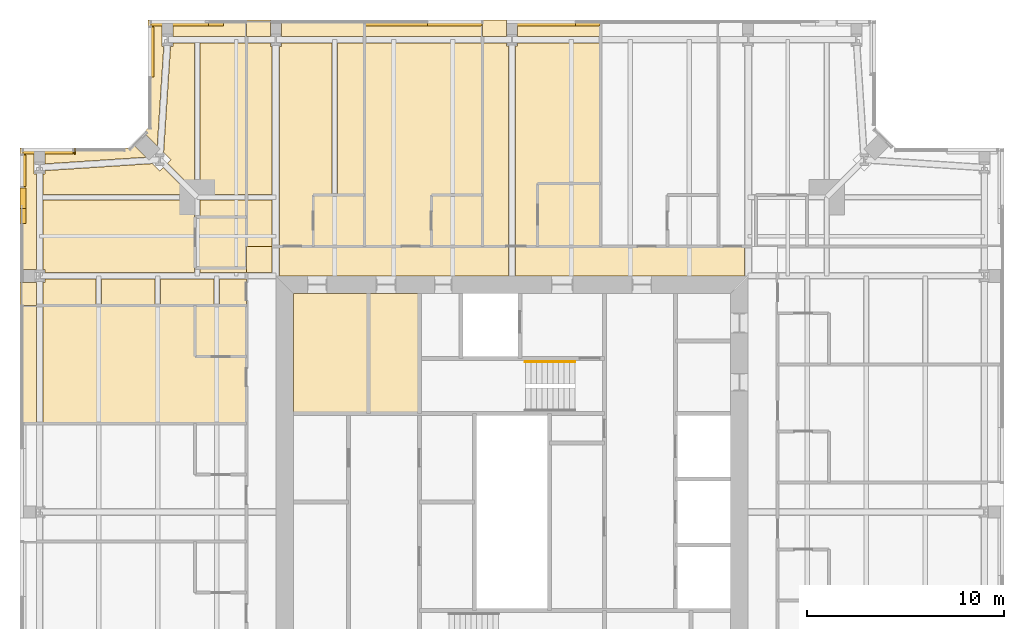
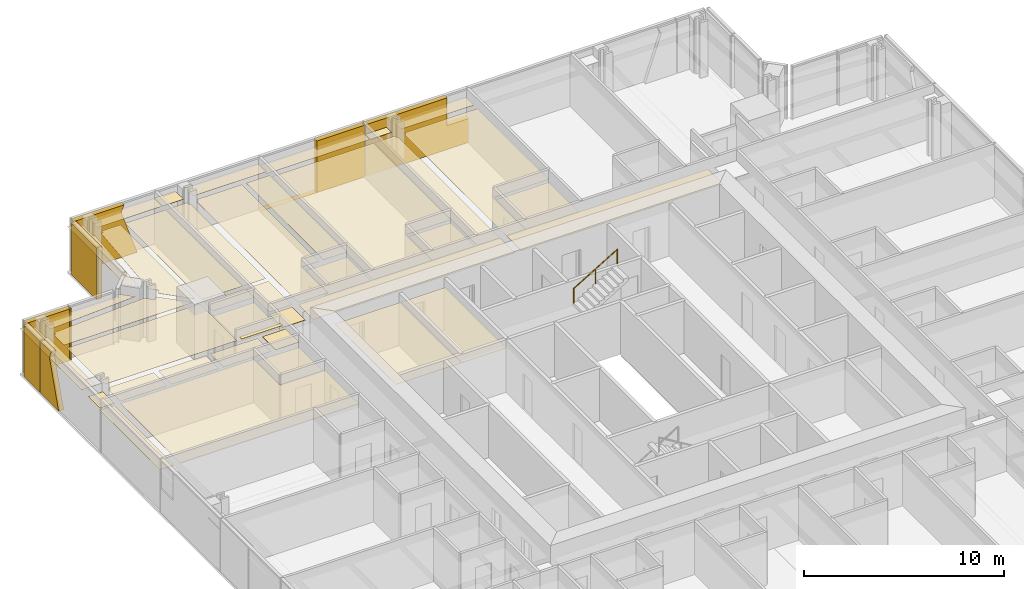
# One storey, part 19 of 20: 47 coverings, 1 railing.
"""IFC4 building model written with IfcOpenShell, lengths in metres."""

import ifcopenshell
import ifcopenshell.guid

model = None  # the IFC model being written
_history = None  # IfcOwnerHistory: only IFC2X3 demands one
_inside = {}  # id of a spatial element -> (the spatial element, [elements in it])
_under = {}  # id of a project, library or spatial element -> (it, [spatial elements below it])
_declared = {}  # id of a project -> (the project, [libraries it declares])
_typed = {}  # id of a type object -> (the type object, [elements of that type])
_made_of = {}  # id of a material, layer set ... -> (it, [elements and type objects made of it])


def new_model(schema):
    """Start an empty IFC model of exactly this schema.

    Asked for "IFC4X3", IfcOpenShell would pick the latest addendum, in which some entities
    have other attributes; the version numbers below select the first issue.
    IFC2X3 requires an IfcOwnerHistory on every rooted entity: one is made here for all.
    """
    global model, _history
    if schema == "IFC4X3":
        model = ifcopenshell.file(schema_version=(4, 3, 0, 0))
    else:
        model = ifcopenshell.file(schema=schema)
    _inside.clear()
    _under.clear()
    _declared.clear()
    _typed.clear()
    _made_of.clear()
    _history = None
    if model.schema == "IFC2X3":
        org = make("IfcOrganization", Name="unknown")
        user = make(
            "IfcPersonAndOrganization",
            ThePerson=make("IfcPerson", FamilyName="unknown"),
            TheOrganization=org,
        )
        app = make(
            "IfcApplication",
            ApplicationDeveloper=org,
            Version="unknown",
            ApplicationFullName="unknown",
            ApplicationIdentifier="unknown",
        )
        _history = make(
            "IfcOwnerHistory",
            OwningUser=user,
            OwningApplication=app,
            ChangeAction="ADDED",
            CreationDate=0,
        )
    return model


def make(cls, **values):
    """One entity of the class cls with the attributes given. An attribute that is None is left unset."""
    return model.create_entity(
        cls, **{name: value for name, value in values.items() if value is not None}
    )


def rooted(cls, **values):
    """An entity with a GlobalId (a new one), such as an element, a storey or a relation."""
    return make(cls, GlobalId=ifcopenshell.guid.new(), OwnerHistory=_history, **values)


def si_unit(unit_type, name, prefix=None):
    """IfcSIUnit, for example si_unit("LENGTHUNIT", "METRE", prefix="MILLI")."""
    return make("IfcSIUnit", UnitType=unit_type, Prefix=prefix, Name=name)


def assignment(units):
    """IfcUnitAssignment: the units of a project."""
    return None if units is None else make("IfcUnitAssignment", Units=units)


def point(xyz):
    """IfcCartesianPoint."""
    return None if xyz is None else make("IfcCartesianPoint", Coordinates=xyz)


def direction(xyz):
    """IfcDirection."""
    return None if xyz is None else make("IfcDirection", DirectionRatios=xyz)


def frame(location, z_axis=None, x_axis=None):
    """IfcAxis2Placement3D, a coordinate frame: its origin and axes. An axis left out is left unset."""
    return make(
        "IfcAxis2Placement3D",
        Location=point(location),
        Axis=direction(z_axis),
        RefDirection=direction(x_axis),
    )


def frame_2d(location, x_axis=None):
    """IfcAxis2Placement2D, a coordinate frame in the plane: its origin and x axis."""
    return make(
        "IfcAxis2Placement2D", Location=point(location), RefDirection=direction(x_axis)
    )


def origin():
    """The frame at (0, 0, 0) with its axes left unset."""
    return frame((0.0, 0.0, 0.0))


def origin_2d():
    """The frame at (0, 0) in the plane with its x axis left unset."""
    return frame_2d((0.0, 0.0))


def place(relative_to, where):
    """IfcLocalPlacement: puts the frame where relative to a parent placement (None: the world)."""
    return make(
        "IfcLocalPlacement", PlacementRelTo=relative_to, RelativePlacement=where
    )


def context(
    kind, dimensions, precision=None, world=None, true_north=None, identifier=None
):
    """IfcGeometricRepresentationContext, for example the 3D "Model" context."""
    return make(
        "IfcGeometricRepresentationContext",
        ContextIdentifier=identifier,
        ContextType=kind,
        CoordinateSpaceDimension=dimensions,
        Precision=precision,
        WorldCoordinateSystem=world,
        TrueNorth=true_north,
    )


def subcontext(parent, identifier, kind, view, scale=None):
    """IfcGeometricRepresentationSubContext, for example "Body" below "Model"."""
    return make(
        "IfcGeometricRepresentationSubContext",
        ContextIdentifier=identifier,
        ContextType=kind,
        ParentContext=parent,
        TargetScale=scale,
        TargetView=view,
    )


def project(units=None, contexts=None):
    """IfcProject with its units and contexts."""
    return rooted(
        "IfcProject",
        Name="project",
        RepresentationContexts=contexts,
        UnitsInContext=assignment(units),
    )


def spatial(cls, under=None, at=None, **own):
    """A site, building, storey or space (cls), placed at a placement, below another one or the project."""
    s = rooted(cls, ObjectPlacement=at, **own)
    if under is not None:
        _under.setdefault(under.id(), (under, []))[1].append(s)
    return s


def polyline(points):
    """IfcPolyline through the points."""
    return make("IfcPolyline", Points=[point(p) for p in points])


def profile(cls, at=None, kind="AREA", **sizes):
    """A parametric profile (cls). Its sizes go by their IFC names, for example OverallWidth=200.0."""
    return make(cls, ProfileType=kind, Position=at, **sizes)


def circle(**sizes):
    """IfcCircleProfileDef."""
    return profile("IfcCircleProfileDef", **sizes)


def outline(outer, holes=None, kind="AREA"):
    """IfcArbitraryClosedProfileDef: a profile drawn as a closed curve; with holes, ...WithVoids."""
    if holes is None:
        return make("IfcArbitraryClosedProfileDef", ProfileType=kind, OuterCurve=outer)
    return make(
        "IfcArbitraryProfileDefWithVoids",
        ProfileType=kind,
        OuterCurve=outer,
        InnerCurves=holes,
    )


def extrude(swept, where, along, depth):
    """IfcExtrudedAreaSolid: the profile swept, set in the frame where, extruded along a direction by depth."""
    return make(
        "IfcExtrudedAreaSolid",
        SweptArea=swept,
        Position=where,
        ExtrudedDirection=direction(along),
        Depth=depth,
    )


def shape(context_of_items, identifier, shape_type, items):
    """IfcShapeRepresentation: the items that make up one representation, for example the "Body"."""
    return make(
        "IfcShapeRepresentation",
        ContextOfItems=context_of_items,
        RepresentationIdentifier=identifier,
        RepresentationType=shape_type,
        Items=items,
    )


def material(Name=None, Category=None):
    """IfcMaterial."""
    return make("IfcMaterial", Name=Name, Category=Category)


def layer(
    of_material, thickness, ventilated=None, Name=None, Category=None, Priority=None
):
    """IfcMaterialLayer: one layer of a wall or slab, of a material (None: an air gap)."""
    return make(
        "IfcMaterialLayer",
        Material=of_material,
        LayerThickness=thickness,
        IsVentilated=ventilated,
        Name=Name,
        Category=Category,
        Priority=Priority,
    )


def layer_set(layers, Name=None):
    """IfcMaterialLayerSet."""
    return make("IfcMaterialLayerSet", MaterialLayers=layers, LayerSetName=Name)


def made_of(thing, what):
    """Note that an element or type object is made of a material, layer set ...; save() writes the relation."""
    if what is not None:
        _made_of.setdefault(what.id(), (what, []))[1].append(thing)
    return thing


def type_object(cls, material=None, **own):
    """A type object (cls), such as IfcWallType, which elements share."""
    return made_of(rooted(cls, **own), material)


def element(
    cls,
    number,
    at=None,
    inside=None,
    cuts=None,
    type_object=None,
    material=None,
    context=None,
    identifier="Body",
    shape_type=None,
    held_by="IfcProductDefinitionShape",
    body=None,
    shapes=None,
    **own,
):
    """One element of the class cls, such as IfcWall. Its Tag is "e" and its number.

    at: its placement. inside: the storey or other place that contains it. cuts: it is an
    opening in that element (IfcRelVoidsElement). A single representation is given by context,
    identifier, shape_type and body (its items); several are given by shapes. held_by: the class
    of the entity that holds the representations. save() writes the other relations.
    """
    e = rooted(cls, Tag="e%d" % number, ObjectPlacement=at, **own)
    if body is not None:
        shapes = [shape(context, identifier, shape_type, body)]
    if shapes is not None:
        e.Representation = make(held_by, Representations=shapes)
    if inside is not None:
        _inside.setdefault(inside.id(), (inside, []))[1].append(e)
    if cuts is not None:
        rooted(
            "IfcRelVoidsElement", RelatingBuildingElement=cuts, RelatedOpeningElement=e
        )
    if type_object is not None:
        _typed.setdefault(type_object.id(), (type_object, []))[1].append(e)
    return made_of(e, material)


def aggregate(whole, parts):
    """IfcRelAggregates: a whole, such as a stair, and the parts it consists of."""
    return rooted("IfcRelAggregates", RelatingObject=whole, RelatedObjects=parts)


def save(model, path):
    """Write the relations noted so far, then the file.

    IfcRelAggregates (storeys below a building ...), IfcRelContainedInSpatialStructure (elements
    in a storey), IfcRelDefinesByType, IfcRelAssociatesMaterial and IfcRelDeclares: one each for
    every whole, place, type object, material and project.
    """
    for whole, parts in _under.values():
        aggregate(whole, parts)
    for where, things in _inside.values():
        rooted(
            "IfcRelContainedInSpatialStructure",
            RelatedElements=things,
            RelatingStructure=where,
        )
    for kind, things in _typed.values():
        rooted("IfcRelDefinesByType", RelatedObjects=things, RelatingType=kind)
    for what, things in _made_of.values():
        rooted("IfcRelAssociatesMaterial", RelatedObjects=things, RelatingMaterial=what)
    for by, libraries in _declared.values():
        rooted("IfcRelDeclares", RelatingContext=by, RelatedDefinitions=libraries)
    model.write(path)


model = new_model("IFC4")

# Units and contexts
model_context = context("Model", 3, precision=1e-05, world=origin(), true_north=direction((0.0, 1.0)))
body_context = subcontext(model_context, "Body", "Model", "MODEL_VIEW")
ifc_project = project(units=[si_unit("LENGTHUNIT", "METRE"), si_unit("AREAUNIT", "SQUARE_METRE"), si_unit("VOLUMEUNIT", "CUBIC_METRE"), si_unit("PLANEANGLEUNIT", "RADIAN"), si_unit("MASSUNIT", "GRAM", prefix="KILO")], contexts=[model_context])

# Site, building, storey
site_placement = place(None, origin())
site = spatial("IfcSite", under=ifc_project, at=site_placement, CompositionType="ELEMENT")
building_placement = place(site_placement, origin())
building = spatial("IfcBuilding", under=site, at=building_placement, Name="Fenwick Lantern Interchange", CompositionType="ELEMENT")
storey_placement = place(building_placement, frame((0.0, 0.0, 252.60009765625)))
storey = spatial("IfcBuildingStorey", under=building, at=storey_placement, Name="L59", CompositionType="ELEMENT", Elevation=252.60009765625)

# Coverings
ifc_material_1 = material(Name="Granite cladding, warm grey flamed finish, on aluminium carrier frame", Category="masonry")
ifc_layer_1 = layer(ifc_material_1, 0.300048828125)
ifc_layer_set_1 = layer_set([ifc_layer_1], Name="BRACE CASING PANEL 300")
covering_type_1 = type_object("IfcCoveringType", Name="BRACE CASING PANEL 300", PredefinedType="CLADDING", material=ifc_layer_set_1)
covering_1_placement = place(storey_placement, frame((43.39990234375, 49.89990234375, 0.0), z_axis=(0.0, 0.0, 1.0), x_axis=(-1.0, 0.0, 0.0)))
element("IfcCovering", 1, at=covering_1_placement, inside=storey, type_object=covering_type_1, Name="Brace casing 09 bay 03a", PredefinedType="CLADDING", context=body_context, shape_type="SweptSolid", body=[
    extrude(outline(polyline([(13.929931640625, 0.0), (19.8701171875, 0.0), (19.8701171875, 3.14990234375), (15.179931640625, 3.14990234375), (15.179931640625, 1.45751953125), (13.929931640625, 1.45751953125), (13.929931640625, 0.0)])), frame((0.0, 0.2099609375, 0.0), z_axis=(0.0, -1.0, 0.0), x_axis=(1.0, 0.0, 0.0)), (0.0, 0.0, 1.0), 0.300048828125),
])
covering_2_placement = place(storey_placement, frame((43.39990234375, 49.89990234375, 0.0), z_axis=(0.0, 0.0, 1.0), x_axis=(-1.0, 0.0, 0.0)))
element("IfcCovering", 2, at=covering_2_placement, inside=storey, type_object=covering_type_1, Name="Brace casing 09 bay 04a", PredefinedType="CLADDING", context=body_context, shape_type="SweptSolid", body=[
    extrude(outline(polyline([(19.929931640625, 0.0), (25.8701171875, 0.0), (25.8701171875, 0.004150390625), (22.690673828125, 0.004150390625), (22.690673828125, 3.14990234375), (19.929931640625, 3.14990234375), (19.929931640625, 0.0)])), frame((0.0, 0.2099609375, 0.0), z_axis=(0.0, -1.0, 0.0), x_axis=(1.0, 0.0, 0.0)), (0.0, 0.0, 1.0), 0.300048828125),
])
covering_3_placement = place(storey_placement, frame((43.39990234375, 49.89990234375, 0.0), z_axis=(0.0, 0.0, 1.0), x_axis=(-1.0, 0.0, 0.0)))
element("IfcCovering", 3, at=covering_3_placement, inside=storey, type_object=covering_type_1, Name="Brace casing 09 bay 06a", PredefinedType="CLADDING", context=body_context, shape_type="SweptSolid", body=[
    extrude(outline(polyline([(33.056884765625, 0.0), (36.739990234375, 0.0), (36.739990234375, 3.14990234375), (33.814453125, 3.14990234375), (33.981201171875, 2.737548828125), (33.056884765625, 0.0)])), frame((0.0, 0.2099609375, 0.0), z_axis=(0.0, -1.0, 0.0), x_axis=(1.0, 0.0, 0.0)), (0.0, 0.0, 1.0), 0.300048828125),
])
covering_4_placement = place(storey_placement, frame((6.60009765625, 49.89990234375, 0.0), z_axis=(0.0, 0.0, 1.0), x_axis=(0.0, -1.0, 0.0)))
element("IfcCovering", 4, at=covering_4_placement, inside=storey, type_object=covering_type_1, Name="Brace casing 10 bay 00a", PredefinedType="CLADDING", context=body_context, shape_type="SweptSolid", body=[
    extrude(outline(polyline([(0.260009765625, 0.0), (2.790771484375, 0.0), (2.790771484375, 3.14990234375), (0.260009765625, 3.14990234375), (0.260009765625, 0.0)])), frame((0.0, 0.2099609375, 0.0), z_axis=(0.0, -1.0, 0.0), x_axis=(1.0, 0.0, 0.0)), (0.0, 0.0, 1.0), 0.300048828125),
])
covering_5_placement = place(storey_placement, frame((5.54150390625, 43.39990234375, 0.0), z_axis=(0.0, 0.0, 1.0), x_axis=(-1.0, 0.0, 0.0)))
element("IfcCovering", 5, at=covering_5_placement, inside=storey, type_object=covering_type_1, Name="Brace casing 12 bay 00a", PredefinedType="CLADDING", context=body_context, shape_type="SweptSolid", body=[
    extrude(outline(polyline([(2.741455078125, 0.0), (2.790771484375, 0.0), (2.790771484375, 3.14990234375), (2.741455078125, 3.14990234375), (2.741455078125, 0.0)])), frame((0.0, 0.2099609375, 0.0), z_axis=(0.0, -1.0, 0.0), x_axis=(1.0, 0.0, 0.0)), (0.0, 0.0, 1.0), 0.300048828125),
])
covering_6_placement = place(storey_placement, frame((5.54150390625, 43.39990234375, 0.0), z_axis=(0.0, 0.0, 1.0), x_axis=(-1.0, 0.0, 0.0)))
element("IfcCovering", 6, at=covering_6_placement, inside=storey, type_object=covering_type_1, Name="Brace casing 12 bay 01a", PredefinedType="CLADDING", context=body_context, shape_type="SweptSolid", body=[
    extrude(outline(polyline([(2.850830078125, 0.0), (5.38134765625, 0.0), (5.38134765625, 3.14990234375), (2.850830078125, 3.14990234375), (2.850830078125, 0.0)])), frame((0.0, 0.2099609375, 0.0), z_axis=(0.0, -1.0, 0.0), x_axis=(1.0, 0.0, 0.0)), (0.0, 0.0, 1.0), 0.300048828125),
])
covering_7_placement = place(storey_placement, frame((0.10009765625, 43.39990234375, 0.0), z_axis=(0.0, 0.0, 1.0), x_axis=(0.0, -1.0, 0.0)))
element("IfcCovering", 7, at=covering_7_placement, inside=storey, type_object=covering_type_1, Name="Brace casing 13 bay 00a", PredefinedType="CLADDING", context=body_context, shape_type="SweptSolid", body=[
    extrude(outline(polyline([(0.260009765625, 0.0), (1.8701171875, 0.0), (1.8701171875, 3.14990234375), (0.260009765625, 3.14990234375), (0.260009765625, 0.0)])), frame((0.0, 0.2099609375, 0.0), z_axis=(0.0, -1.0, 0.0), x_axis=(1.0, 0.0, 0.0)), (0.0, 0.0, 1.0), 0.300048828125),
])
covering_8_placement = place(storey_placement, frame((0.10009765625, 43.39990234375, 0.0), z_axis=(0.0, 0.0, 1.0), x_axis=(0.0, -1.0, 0.0)))
element("IfcCovering", 8, at=covering_8_placement, inside=storey, type_object=covering_type_1, Name="Brace casing 13 bay 01a", PredefinedType="CLADDING", context=body_context, shape_type="SweptSolid", body=[
    extrude(outline(polyline([(1.929931640625, 0.0), (3.7431640625, 0.0), (2.81884765625, 2.737548828125), (2.985595703125, 3.14990234375), (1.929931640625, 3.14990234375), (1.929931640625, 0.0)])), frame((0.0, 0.2099609375, 0.0), z_axis=(0.0, -1.0, 0.0), x_axis=(1.0, 0.0, 0.0)), (0.0, 0.0, 1.0), 0.300048828125),
])

# Railing
ifc_material_2 = material(Name="Stainless steel handrail", Category="steel")
railing_type = type_object("IfcRailingType", Name="HANDRAIL 900", PredefinedType="HANDRAIL", material=ifc_material_2)
railing_placement = place(storey_placement, frame((25.679931640625, 32.6259765625, 1.869873046875)))
element("IfcRailing", 9, at=railing_placement, inside=storey, type_object=railing_type, Name="L59/STAIR/ST2/HR2", PredefinedType="HANDRAIL", context=body_context, shape_type="SweptSolid", body=[
    extrude(circle(Radius=0.02392578125, at=origin_2d()), frame((0.0, 0.0, 0.8759765625), z_axis=(0.85478489116, 0.0, 0.518982456201), x_axis=(0.0, 1.0, 0.0)), (0.0, 0.0, 1.0), 2.9482421875),
    extrude(circle(Radius=0.02099609375, at=origin_2d()), origin(), (0.0, 0.0, 1.0), 0.851806640625),
    extrude(circle(Radius=0.02099609375, at=origin_2d()), frame((1.260009765625, 0.0, 0.76513671875)), (0.0, 0.0, 1.0), 0.851806640625),
    extrude(circle(Radius=0.02099609375, at=origin_2d()), frame((2.52001953125, 0.0, 1.530029296875)), (0.0, 0.0, 1.0), 0.851806640625),
])

# Coverings
ifc_material_3 = material(Name="Moisture resistant gypsum board on suspended frame, painted")
ifc_layer_2 = layer(ifc_material_3, 0.014892578125)
ifc_layer_set_2 = layer_set([ifc_layer_2], Name="MOISTURE RESISTANT CEILING 15")
covering_type_2 = type_object("IfcCoveringType", Name="MOISTURE RESISTANT CEILING 15", PredefinedType="CEILING", material=ifc_layer_set_2)
covering_9_placement = place(storey_placement, frame((0.0, 0.0, 2.599853515625)))
element("IfcCovering", 10, at=covering_9_placement, inside=storey, type_object=covering_type_2, Name="Men's WC ceiling", PredefinedType="CEILING", context=body_context, shape_type="SweptSolid", body=[
    extrude(outline(polyline([(20.300048828125, 36.10009765625), (17.699951171875, 36.10009765625), (17.699951171875, 30.0), (20.300048828125, 30.0), (20.300048828125, 36.10009765625)])), origin(), (0.0, 0.0, 1.0), 0.01513671875),
])
covering_10_placement = place(storey_placement, frame((0.0, 0.0, 2.599853515625)))
element("IfcCovering", 11, at=covering_10_placement, inside=storey, type_object=covering_type_2, Name="Women's WC ceiling", PredefinedType="CEILING", context=body_context, shape_type="SweptSolid", body=[
    extrude(outline(polyline([(17.699951171875, 36.10009765625), (13.89990234375, 36.10009765625), (13.89990234375, 30.0), (17.699951171875, 30.0), (17.699951171875, 36.10009765625)])), origin(), (0.0, 0.0, 1.0), 0.01513671875),
])
covering_11_placement = place(storey_placement, frame((0.0, 0.0, 2.39990234375)))
element("IfcCovering", 12, at=covering_11_placement, inside=storey, type_object=covering_type_2, Name="En-suite 5913 ceiling", PredefinedType="CEILING", context=body_context, shape_type="SweptSolid", body=[
    extrude(outline(polyline([(29.5, 41.699951171875), (26.300048828125, 41.699951171875), (26.300048828125, 38.5), (29.5, 38.5), (29.5, 41.699951171875)])), origin(), (0.0, 0.0, 1.0), 0.014892578125),
])
covering_12_placement = place(storey_placement, frame((0.0, 0.0, 2.39990234375)))
element("IfcCovering", 13, at=covering_12_placement, inside=storey, type_object=covering_type_2, Name="En-suite 5914 ceiling", PredefinedType="CEILING", context=body_context, shape_type="SweptSolid", body=[
    extrude(outline(polyline([(23.5, 41.10009765625), (20.89990234375, 41.10009765625), (20.89990234375, 38.5), (23.5, 38.5), (23.5, 41.10009765625)])), origin(), (0.0, 0.0, 1.0), 0.014892578125),
])
covering_13_placement = place(storey_placement, frame((0.0, 0.0, 2.39990234375)))
element("IfcCovering", 14, at=covering_13_placement, inside=storey, type_object=covering_type_2, Name="En-suite 5915 ceiling", PredefinedType="CEILING", context=body_context, shape_type="SweptSolid", body=[
    extrude(outline(polyline([(17.5, 41.10009765625), (14.89990234375, 41.10009765625), (14.89990234375, 38.5), (17.5, 38.5), (17.5, 41.10009765625)])), origin(), (0.0, 0.0, 1.0), 0.014892578125),
])
covering_14_placement = place(storey_placement, frame((0.0, 0.0, 2.39990234375)))
element("IfcCovering", 15, at=covering_14_placement, inside=storey, type_object=covering_type_2, Name="En-suite 5916 ceiling", PredefinedType="CEILING", context=body_context, shape_type="SweptSolid", body=[
    extrude(outline(polyline([(8.89990234375, 40.0), (8.89990234375, 37.39990234375), (11.5, 37.39990234375), (11.5, 40.0), (8.89990234375, 40.0)])), origin(), (0.0, 0.0, 1.0), 0.014892578125),
])
covering_15_placement = place(storey_placement, frame((0.0, 0.0, 2.39990234375)))
element("IfcCovering", 16, at=covering_15_placement, inside=storey, type_object=covering_type_2, Name="En-suite 5917 ceiling", PredefinedType="CEILING", context=body_context, shape_type="SweptSolid", body=[
    extrude(outline(polyline([(8.89990234375, 35.5), (8.89990234375, 32.89990234375), (11.5, 32.89990234375), (11.5, 35.5), (8.89990234375, 35.5)])), origin(), (0.0, 0.0, 1.0), 0.014892578125),
])
ifc_material_4 = material(Name="Gypsum plasterboard on suspended frame, painted")
ifc_layer_3 = layer(ifc_material_4, 0.014892578125)
ifc_layer_set_3 = layer_set([ifc_layer_3], Name="PLASTERBOARD CEILING 15")
covering_type_3 = type_object("IfcCoveringType", Name="PLASTERBOARD CEILING 15", PredefinedType="CEILING", material=ifc_layer_set_3)
covering_16_placement = place(storey_placement, frame((0.0, 0.0, 2.57275390625)))
element("IfcCovering", 17, at=covering_16_placement, inside=storey, type_object=covering_type_3, Name="Corridor ceiling", PredefinedType="CEILING", context=body_context, shape_type="SweptSolid", body=[
    extrude(outline(polyline([(24.816162109375, 38.5), (13.183837890625, 38.5), (13.183837890625, 37.0), (24.816162109375, 37.0), (24.816162109375, 38.5)])), origin(), (0.0, 0.0, 1.0), 0.014892578125),
])
covering_17_placement = place(storey_placement, frame((0.0, 0.0, 2.57275390625)))
element("IfcCovering", 18, at=covering_17_placement, inside=storey, type_object=covering_type_3, Name="Corridor ceiling", PredefinedType="CEILING", context=body_context, shape_type="SweptSolid", body=[
    extrude(outline(polyline([(36.816162109375, 38.5), (25.183837890625, 38.5), (25.183837890625, 37.0), (36.816162109375, 37.0), (36.816162109375, 38.5)])), origin(), (0.0, 0.0, 1.0), 0.014892578125),
])
covering_18_placement = place(storey_placement, frame((0.0, 0.0, 2.57275390625)))
element("IfcCovering", 19, at=covering_18_placement, inside=storey, type_object=covering_type_3, Name="Corridor ceiling", PredefinedType="CEILING", context=body_context, shape_type="SweptSolid", body=[
    extrude(outline(polyline([(12.816162109375, 38.5), (11.5, 38.5), (11.5, 37.166015625), (12.816162109375, 37.166015625), (12.816162109375, 38.5)])), origin(), (0.0, 0.0, 1.0), 0.014892578125),
])
covering_19_placement = place(storey_placement, frame((0.0, 0.0, 2.57275390625)))
element("IfcCovering", 20, at=covering_19_placement, inside=storey, type_object=covering_type_3, Name="Guest room 5913 ceiling", PredefinedType="CEILING", context=body_context, shape_type="SweptSolid", body=[
    extrude(outline(polyline([(25.27099609375, 48.6845703125), (25.183837890625, 48.6845703125), (25.183837890625, 38.5), (26.300048828125, 38.5), (26.300048828125, 41.699951171875), (29.5, 41.699951171875), (29.5, 48.82763671875), (25.27099609375, 48.82763671875), (25.27099609375, 48.6845703125)])), origin(), (0.0, 0.0, 1.0), 0.014892578125),
])
covering_20_placement = place(storey_placement, frame((0.0, 0.0, 2.57275390625)))
element("IfcCovering", 21, at=covering_20_placement, inside=storey, type_object=covering_type_3, Name="Guest room 5913 ceiling", PredefinedType="CEILING", context=body_context, shape_type="SweptSolid", body=[
    extrude(outline(polyline([(24.72900390625, 48.6845703125), (24.72900390625, 48.82763671875), (23.5, 48.82763671875), (23.5, 38.5), (24.816162109375, 38.5), (24.816162109375, 48.6845703125), (24.72900390625, 48.6845703125)])), origin(), (0.0, 0.0, 1.0), 0.014892578125),
])
covering_21_placement = place(storey_placement, frame((0.0, 0.0, 2.57275390625)))
element("IfcCovering", 22, at=covering_21_placement, inside=storey, type_object=covering_type_3, Name="Guest room 5913 ceiling", PredefinedType="CEILING", context=body_context, shape_type="SweptSolid", body=[
    extrude(outline(polyline([(25.27099609375, 50.0), (25.27099609375, 49.17236328125), (29.5, 49.17236328125), (29.5, 50.0), (25.27099609375, 50.0)])), origin(), (0.0, 0.0, 1.0), 0.014892578125),
])
covering_22_placement = place(storey_placement, frame((0.0, 0.0, 2.57275390625)))
element("IfcCovering", 23, at=covering_22_placement, inside=storey, type_object=covering_type_3, Name="Guest room 5913 ceiling", PredefinedType="CEILING", context=body_context, shape_type="SweptSolid", body=[
    extrude(outline(polyline([(24.72900390625, 50.0), (23.5, 50.0), (23.5, 49.17236328125), (24.72900390625, 49.17236328125), (24.72900390625, 50.0)])), origin(), (0.0, 0.0, 1.0), 0.014892578125),
])
covering_23_placement = place(storey_placement, frame((0.0, 0.0, 2.57275390625)))
element("IfcCovering", 24, at=covering_23_placement, inside=storey, type_object=covering_type_3, Name="Guest room 5914 ceiling", PredefinedType="CEILING", context=body_context, shape_type="SweptSolid", body=[
    extrude(outline(polyline([(17.5, 48.82763671875), (17.5, 38.5), (20.89990234375, 38.5), (20.89990234375, 41.10009765625), (23.5, 41.10009765625), (23.5, 48.82763671875), (17.5, 48.82763671875)])), origin(), (0.0, 0.0, 1.0), 0.014892578125),
])
covering_24_placement = place(storey_placement, frame((0.0, 0.0, 2.57275390625)))
element("IfcCovering", 25, at=covering_24_placement, inside=storey, type_object=covering_type_3, Name="Guest room 5914 ceiling", PredefinedType="CEILING", context=body_context, shape_type="SweptSolid", body=[
    extrude(outline(polyline([(17.5, 50.0), (17.5, 49.17236328125), (23.5, 49.17236328125), (23.5, 50.0), (17.5, 50.0)])), origin(), (0.0, 0.0, 1.0), 0.014892578125),
])
covering_25_placement = place(storey_placement, frame((0.0, 0.0, 2.699951171875)))
element("IfcCovering", 26, at=covering_25_placement, inside=storey, type_object=covering_type_3, Name="Guest room 5915 ceiling", PredefinedType="CEILING", context=body_context, shape_type="SweptSolid", body=[
    extrude(outline(polyline([(13.27734375, 48.66552734375), (13.183837890625, 48.66552734375), (13.183837890625, 38.5), (14.89990234375, 38.5), (14.89990234375, 41.10009765625), (15.865478515625, 41.10009765625), (15.865478515625, 48.82763671875), (13.27734375, 48.82763671875), (13.27734375, 48.66552734375)])), origin(), (0.0, 0.0, 1.0), 0.014892578125),
])
covering_26_placement = place(storey_placement, frame((0.0, 0.0, 2.699951171875)))
element("IfcCovering", 27, at=covering_26_placement, inside=storey, type_object=covering_type_3, Name="Guest room 5915 ceiling", PredefinedType="CEILING", context=body_context, shape_type="SweptSolid", body=[
    extrude(outline(polyline([(17.5, 41.10009765625), (17.5, 48.82763671875), (16.134521484375, 48.82763671875), (16.134521484375, 41.10009765625), (17.5, 41.10009765625)])), origin(), (0.0, 0.0, 1.0), 0.014892578125),
])
covering_27_placement = place(storey_placement, frame((0.0, 0.0, 2.699951171875)))
element("IfcCovering", 28, at=covering_27_placement, inside=storey, type_object=covering_type_3, Name="Guest room 5915 ceiling", PredefinedType="CEILING", context=body_context, shape_type="SweptSolid", body=[
    extrude(outline(polyline([(12.72265625, 48.66552734375), (12.72265625, 48.82763671875), (11.5, 48.82763671875), (11.5, 41.134521484375), (12.816162109375, 41.134521484375), (12.816162109375, 48.66552734375), (12.72265625, 48.66552734375)])), origin(), (0.0, 0.0, 1.0), 0.014892578125),
])
covering_28_placement = place(storey_placement, frame((0.0, 0.0, 2.699951171875)))
element("IfcCovering", 29, at=covering_28_placement, inside=storey, type_object=covering_type_3, Name="Guest room 5915 ceiling", PredefinedType="CEILING", context=body_context, shape_type="SweptSolid", body=[
    extrude(outline(polyline([(13.27734375, 50.0), (13.27734375, 49.17236328125), (17.5, 49.17236328125), (17.5, 50.0), (13.27734375, 50.0)])), origin(), (0.0, 0.0, 1.0), 0.014892578125),
])
covering_29_placement = place(storey_placement, frame((0.0, 0.0, 2.699951171875)))
element("IfcCovering", 30, at=covering_29_placement, inside=storey, type_object=covering_type_3, Name="Guest room 5915 ceiling", PredefinedType="CEILING", context=body_context, shape_type="SweptSolid", body=[
    extrude(outline(polyline([(11.5, 38.5), (12.816162109375, 38.5), (12.816162109375, 40.865478515625), (11.5, 40.865478515625), (11.5, 38.5)])), origin(), (0.0, 0.0, 1.0), 0.014892578125),
])
covering_30_placement = place(storey_placement, frame((0.0, 0.0, 2.699951171875)))
element("IfcCovering", 31, at=covering_30_placement, inside=storey, type_object=covering_type_3, Name="Guest room 5915 ceiling", PredefinedType="CEILING", context=body_context, shape_type="SweptSolid", body=[
    extrude(outline(polyline([(12.72265625, 50.0), (11.5, 50.0), (11.5, 49.17236328125), (12.72265625, 49.17236328125), (12.72265625, 50.0)])), origin(), (0.0, 0.0, 1.0), 0.014892578125),
])
covering_31_placement = place(storey_placement, frame((0.0, 0.0, 2.699951171875)))
element("IfcCovering", 32, at=covering_31_placement, inside=storey, type_object=covering_type_3, Name="Guest suite 5916 ceiling", PredefinedType="CEILING", context=body_context, shape_type="SweptSolid", body=[
    extrude(outline(polyline([(1.27734375, 37.33447265625), (1.27734375, 37.166015625), (8.865478515625, 37.166015625), (8.865478515625, 40.865478515625), (1.17236328125, 40.865478515625), (1.17236328125, 37.33447265625), (1.27734375, 37.33447265625)])), origin(), (0.0, 0.0, 1.0), 0.014892578125),
])
covering_32_placement = place(storey_placement, frame((0.0, 0.0, 2.699951171875)))
element("IfcCovering", 33, at=covering_32_placement, inside=storey, type_object=covering_type_3, Name="Guest suite 5916 ceiling", PredefinedType="CEILING", context=body_context, shape_type="SweptSolid", body=[
    extrude(outline(polyline([(11.5, 41.134521484375), (11.5, 48.82763671875), (9.134521484375, 48.82763671875), (9.134521484375, 41.134521484375), (11.5, 41.134521484375)])), origin(), (0.0, 0.0, 1.0), 0.014892578125),
])
covering_33_placement = place(storey_placement, frame((0.0, 0.0, 2.699951171875)))
element("IfcCovering", 34, at=covering_33_placement, inside=storey, type_object=covering_type_3, Name="Guest suite 5916 ceiling", PredefinedType="CEILING", context=body_context, shape_type="SweptSolid", body=[
    extrude(outline(polyline([(1.27734375, 42.16552734375), (1.17236328125, 42.16552734375), (1.17236328125, 41.134521484375), (8.648681640625, 41.134521484375), (7.28271484375, 42.500244140625), (7.10009765625, 42.3173828125), (6.715576171875, 42.701904296875), (1.27734375, 42.345458984375), (1.27734375, 42.16552734375)])), origin(), (0.0, 0.0, 1.0), 0.014892578125),
])
covering_34_placement = place(storey_placement, frame((0.0, 0.0, 2.699951171875)))
element("IfcCovering", 35, at=covering_34_placement, inside=storey, type_object=covering_type_3, Name="Guest suite 5916 ceiling", PredefinedType="CEILING", context=body_context, shape_type="SweptSolid", body=[
    extrude(outline(polyline([(7.77734375, 48.66552734375), (7.65087890625, 48.66552734375), (7.298095703125, 43.284423828125), (7.6826171875, 42.89990234375), (7.499755859375, 42.71728515625), (8.865478515625, 41.351318359375), (8.865478515625, 48.82763671875), (7.77734375, 48.82763671875), (7.77734375, 48.66552734375)])), origin(), (0.0, 0.0, 1.0), 0.014892578125),
])
covering_35_placement = place(storey_placement, frame((0.0, 0.0, 2.699951171875)))
element("IfcCovering", 36, at=covering_35_placement, inside=storey, type_object=covering_type_3, Name="Guest suite 5916 ceiling", PredefinedType="CEILING", context=body_context, shape_type="SweptSolid", body=[
    extrude(outline(polyline([(0.0, 37.33447265625), (0.82763671875, 37.33447265625), (0.82763671875, 42.16552734375), (0.72265625, 42.16552734375), (0.72265625, 43.5), (0.0, 43.5), (0.0, 37.33447265625)])), origin(), (0.0, 0.0, 1.0), 0.014892578125),
])
covering_36_placement = place(storey_placement, frame((0.0, 0.0, 2.699951171875)))
element("IfcCovering", 37, at=covering_36_placement, inside=storey, type_object=covering_type_3, Name="Guest suite 5916 ceiling", PredefinedType="CEILING", context=body_context, shape_type="SweptSolid", body=[
    extrude(outline(polyline([(7.30517578125, 48.66552734375), (7.22265625, 48.66552734375), (7.22265625, 50.0), (6.5, 50.0), (6.5, 44.5), (6.291259765625, 44.291259765625), (6.9736328125, 43.60888671875), (7.30517578125, 48.66552734375)])), origin(), (0.0, 0.0, 1.0), 0.014892578125),
])
covering_37_placement = place(storey_placement, frame((0.0, 0.0, 2.699951171875)))
element("IfcCovering", 38, at=covering_37_placement, inside=storey, type_object=covering_type_3, Name="Guest suite 5916 ceiling", PredefinedType="CEILING", context=body_context, shape_type="SweptSolid", body=[
    extrude(outline(polyline([(4.134521484375, 35.5), (6.865478515625, 35.5), (6.865478515625, 36.833984375), (4.134521484375, 36.833984375), (4.134521484375, 35.5)])), origin(), (0.0, 0.0, 1.0), 0.014892578125),
])
covering_38_placement = place(storey_placement, frame((0.0, 0.0, 2.699951171875)))
element("IfcCovering", 39, at=covering_38_placement, inside=storey, type_object=covering_type_3, Name="Guest suite 5916 ceiling", PredefinedType="CEILING", context=body_context, shape_type="SweptSolid", body=[
    extrude(outline(polyline([(7.134521484375, 35.5), (9.865478515625, 35.5), (9.865478515625, 36.833984375), (7.134521484375, 36.833984375), (7.134521484375, 35.5)])), origin(), (0.0, 0.0, 1.0), 0.014892578125),
])
covering_39_placement = place(storey_placement, frame((0.0, 0.0, 2.699951171875)))
element("IfcCovering", 40, at=covering_39_placement, inside=storey, type_object=covering_type_3, Name="Guest suite 5916 ceiling", PredefinedType="CEILING", context=body_context, shape_type="SweptSolid", body=[
    extrude(outline(polyline([(1.17236328125, 35.5), (3.865478515625, 35.5), (3.865478515625, 36.833984375), (1.27734375, 36.833984375), (1.27734375, 36.66552734375), (1.17236328125, 36.66552734375), (1.17236328125, 35.5)])), origin(), (0.0, 0.0, 1.0), 0.014892578125),
])
covering_40_placement = place(storey_placement, frame((0.0, 0.0, 2.699951171875)))
element("IfcCovering", 41, at=covering_40_placement, inside=storey, type_object=covering_type_3, Name="Guest suite 5916 ceiling", PredefinedType="CEILING", context=body_context, shape_type="SweptSolid", body=[
    extrude(outline(polyline([(1.27734375, 43.5), (1.27734375, 42.69091796875), (6.39111328125, 43.0263671875), (5.708740234375, 43.708740234375), (5.5, 43.5), (1.27734375, 43.5)])), origin(), (0.0, 0.0, 1.0), 0.014892578125),
])
covering_41_placement = place(storey_placement, frame((0.0, 0.0, 2.699951171875)))
element("IfcCovering", 42, at=covering_41_placement, inside=storey, type_object=covering_type_3, Name="Guest suite 5916 ceiling", PredefinedType="CEILING", context=body_context, shape_type="SweptSolid", body=[
    extrude(outline(polyline([(7.77734375, 50.0), (7.77734375, 49.17236328125), (11.5, 49.17236328125), (11.5, 50.0), (7.77734375, 50.0)])), origin(), (0.0, 0.0, 1.0), 0.014892578125),
])
covering_42_placement = place(storey_placement, frame((0.0, 0.0, 2.699951171875)))
element("IfcCovering", 43, at=covering_42_placement, inside=storey, type_object=covering_type_3, Name="Guest suite 5916 ceiling", PredefinedType="CEILING", context=body_context, shape_type="SweptSolid", body=[
    extrude(outline(polyline([(11.5, 40.0), (11.5, 40.865478515625), (9.134521484375, 40.865478515625), (9.134521484375, 40.0), (11.5, 40.0)])), origin(), (0.0, 0.0, 1.0), 0.014892578125),
])
covering_43_placement = place(storey_placement, frame((0.0, 0.0, 2.699951171875)))
element("IfcCovering", 44, at=covering_43_placement, inside=storey, type_object=covering_type_3, Name="Guest suite 5916 ceiling", PredefinedType="CEILING", context=body_context, shape_type="SweptSolid", body=[
    extrude(outline(polyline([(11.5, 35.5), (11.5, 36.833984375), (10.134521484375, 36.833984375), (10.134521484375, 35.5), (11.5, 35.5)])), origin(), (0.0, 0.0, 1.0), 0.014892578125),
])
covering_44_placement = place(storey_placement, frame((0.0, 0.0, 2.699951171875)))
element("IfcCovering", 45, at=covering_44_placement, inside=storey, type_object=covering_type_3, Name="Guest suite 5916 ceiling", PredefinedType="CEILING", context=body_context, shape_type="SweptSolid", body=[
    extrude(outline(polyline([(0.0, 35.5), (0.82763671875, 35.5), (0.82763671875, 36.66552734375), (0.0, 36.66552734375), (0.0, 35.5)])), origin(), (0.0, 0.0, 1.0), 0.014892578125),
])
covering_45_placement = place(storey_placement, frame((0.0, 0.0, 2.699951171875)))
element("IfcCovering", 46, at=covering_45_placement, inside=storey, type_object=covering_type_3, Name="Guest suite 5916 ceiling", PredefinedType="CEILING", context=body_context, shape_type="SweptSolid", body=[
    extrude(outline(polyline([(11.5, 37.39990234375), (9.134521484375, 37.39990234375), (9.134521484375, 37.166015625), (11.5, 37.166015625), (11.5, 37.39990234375)])), origin(), (0.0, 0.0, 1.0), 0.014892578125),
])
covering_46_placement = place(storey_placement, frame((0.0, 0.0, 2.57275390625)))
element("IfcCovering", 47, at=covering_46_placement, inside=storey, type_object=covering_type_3, Name="Guest room 5917 ceiling", PredefinedType="CEILING", context=body_context, shape_type="SweptSolid", body=[
    extrude(outline(polyline([(1.17236328125, 29.5), (11.5, 29.5), (11.5, 32.89990234375), (8.89990234375, 32.89990234375), (8.89990234375, 35.5), (1.17236328125, 35.5), (1.17236328125, 29.5)])), origin(), (0.0, 0.0, 1.0), 0.014892578125),
])
covering_47_placement = place(storey_placement, frame((0.0, 0.0, 2.57275390625)))
element("IfcCovering", 48, at=covering_47_placement, inside=storey, type_object=covering_type_3, Name="Guest room 5917 ceiling", PredefinedType="CEILING", context=body_context, shape_type="SweptSolid", body=[
    extrude(outline(polyline([(0.0, 29.5), (0.82763671875, 29.5), (0.82763671875, 35.5), (0.0, 35.5), (0.0, 29.5)])), origin(), (0.0, 0.0, 1.0), 0.014892578125),
])

save(model, "model.ifc")
